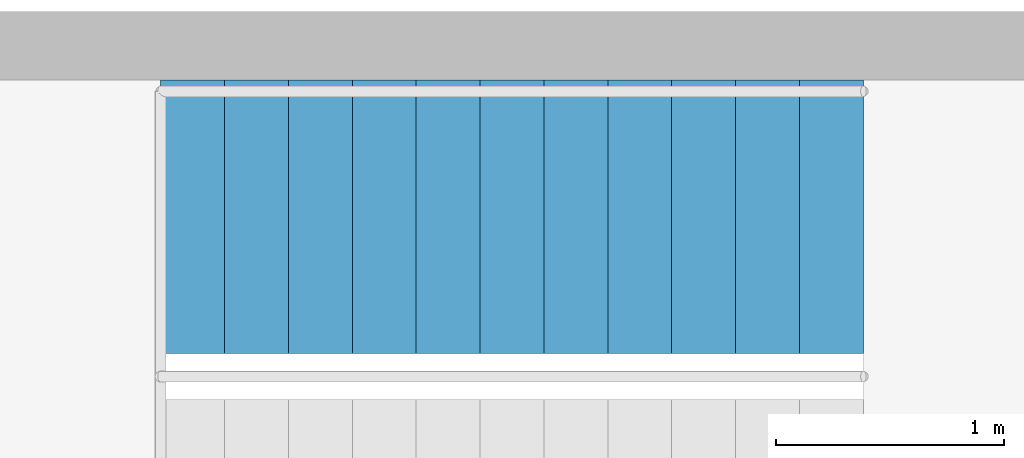
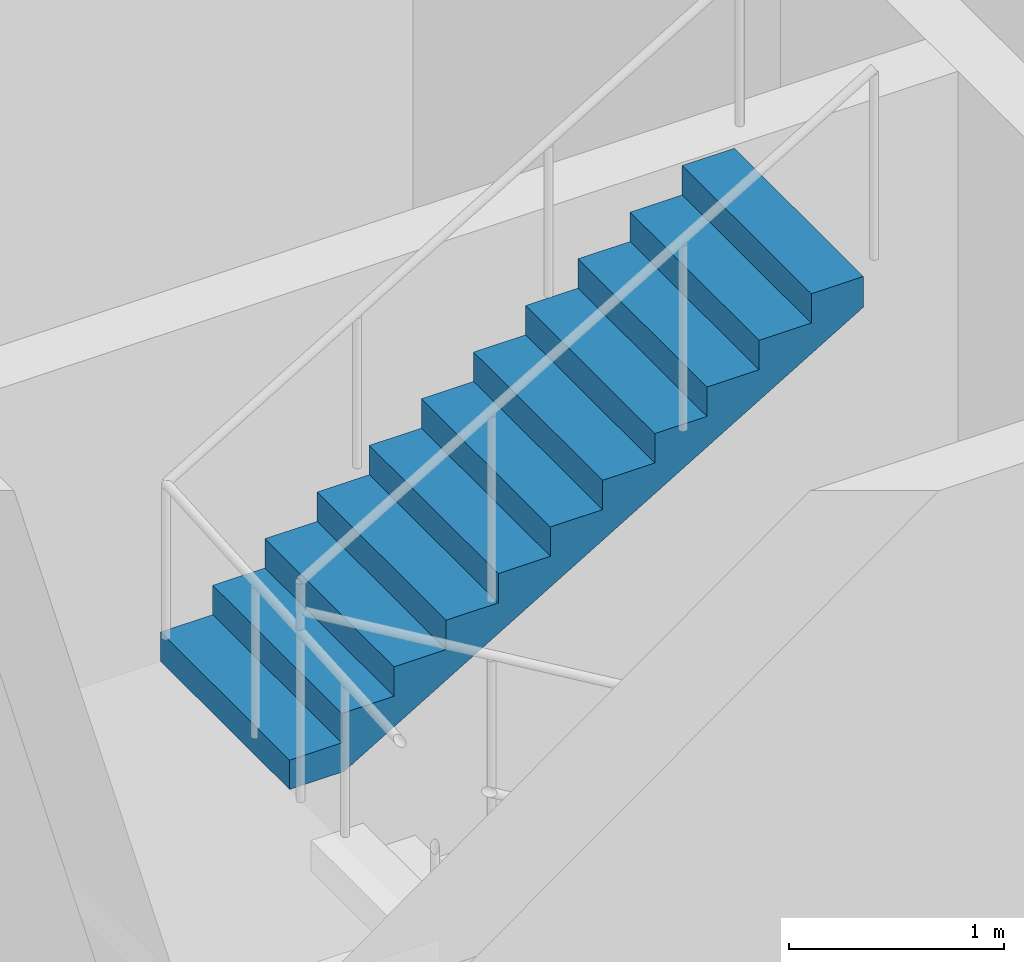
# One storey, part 6 of 13: 1 stair flight, 1 element without a shape of its own.
"""IFC4 building model written with IfcOpenShell, lengths in metres."""

from ifc_helpers import new_model, si_unit, direction, frame, origin, place, context, subcontext, project, spatial, polyline, outline, extrude, material, type_object, element, aggregate, save


model = new_model("IFC4")

# Units and contexts
model_context = context("Model", 3, precision=1e-05, world=origin(), true_north=direction((0.0, 1.0)))
body_context = subcontext(model_context, "Body", "Model", "MODEL_VIEW")
ifc_project = project(units=[si_unit("LENGTHUNIT", "METRE"), si_unit("AREAUNIT", "SQUARE_METRE"), si_unit("VOLUMEUNIT", "CUBIC_METRE"), si_unit("PLANEANGLEUNIT", "RADIAN"), si_unit("MASSUNIT", "GRAM", prefix="KILO")], contexts=[model_context])

# Site, building, storey
site_placement = place(None, origin())
site = spatial("IfcSite", under=ifc_project, at=site_placement, CompositionType="ELEMENT")
building_placement = place(site_placement, origin())
building = spatial("IfcBuilding", under=site, at=building_placement, Name="Entoto Ring Tower", CompositionType="ELEMENT")
storey_placement = place(building_placement, frame((0.0, 0.0, 156.0)))
storey = spatial("IfcBuildingStorey", under=building, at=storey_placement, Name="L35", CompositionType="ELEMENT", Elevation=156.0)

# Stair, stair flight
ifc_material_1 = material(Name="Concrete C40/50", Category="concrete")
stair_type = type_object("IfcStairType", Name="Exit stair 1200 mm dog-leg reinforced concrete", PredefinedType="HALF_TURN_STAIR", material=ifc_material_1)
stair_placement = place(storey_placement, origin())
stair = element("IfcStair", 1, at=stair_placement, inside=storey, type_object=stair_type, Name="Exit stair 1", PredefinedType="HALF_TURN_STAIR")
ifc_material_2 = material(Name="Concrete C40/50", Category="concrete")
stair_flight_type = type_object("IfcStairFlightType", Name="Stair flight 1200 mm reinforced concrete", PredefinedType="STRAIGHT", material=ifc_material_2)
stair_flight_placement = place(storey_placement, frame((96.169921875, 86.949951171875, 2.0), z_axis=(0.0, 0.0, 1.0), x_axis=(1.0, 0.0, 0.0)))
stair_flight = element("IfcStairFlight", 2, at=stair_flight_placement, type_object=stair_flight_type, Name="ST1 flight 2", NumberOfRisers=12, NumberOfTreads=11, PredefinedType="STRAIGHT", RiserHeight=0.166666667, TreadLength=0.28, context=body_context, shape_type="SweptSolid", body=[
    extrude(outline(polyline([(0.0, 0.0), (0.0, 0.166748046875), (0.280029296875, 0.166748046875), (0.280029296875, 0.333251953125), (0.56005859375, 0.333251953125), (0.56005859375, 0.5), (0.840087890625, 0.5), (0.840087890625, 0.666748046875), (1.1201171875, 0.666748046875), (1.1201171875, 0.833251953125), (1.39990234375, 0.833251953125), (1.39990234375, 1.0), (1.679931640625, 1.0), (1.679931640625, 1.166748046875), (1.9599609375, 1.166748046875), (1.9599609375, 1.333251953125), (2.239990234375, 1.333251953125), (2.239990234375, 1.5), (2.52001953125, 1.5), (2.52001953125, 1.666748046875), (2.800048828125, 1.666748046875), (2.800048828125, 1.833251953125), (3.080078125, 1.833251953125), (3.080078125, 2.0), (3.080078125, 1.658935546875), (0.29296875, 0.0), (0.0, 0.0)])), frame((0.0, 0.60009765625, 0.0), z_axis=(0.0, -1.0, 0.0), x_axis=(1.0, 0.0, 0.0)), (0.0, 0.0, 1.0), 1.199951171875),
])
aggregate(stair, [stair_flight])

save(model, "model.ifc")
